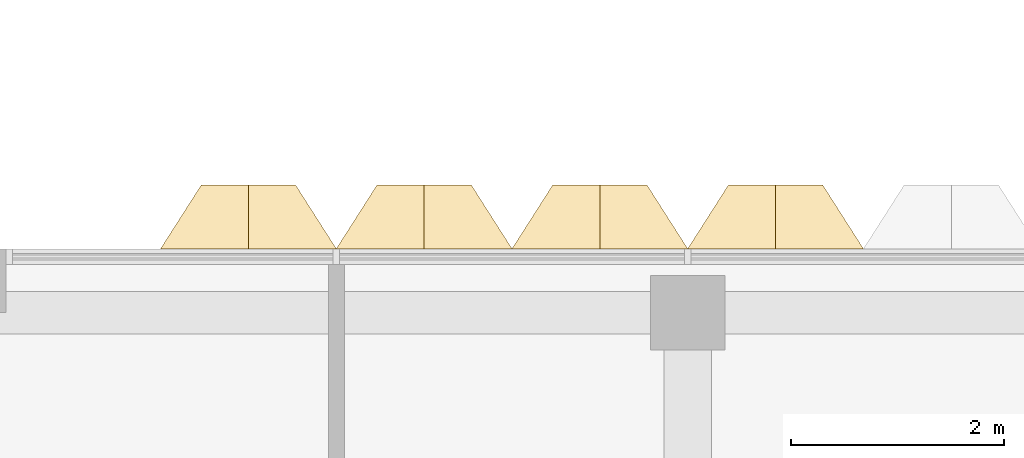
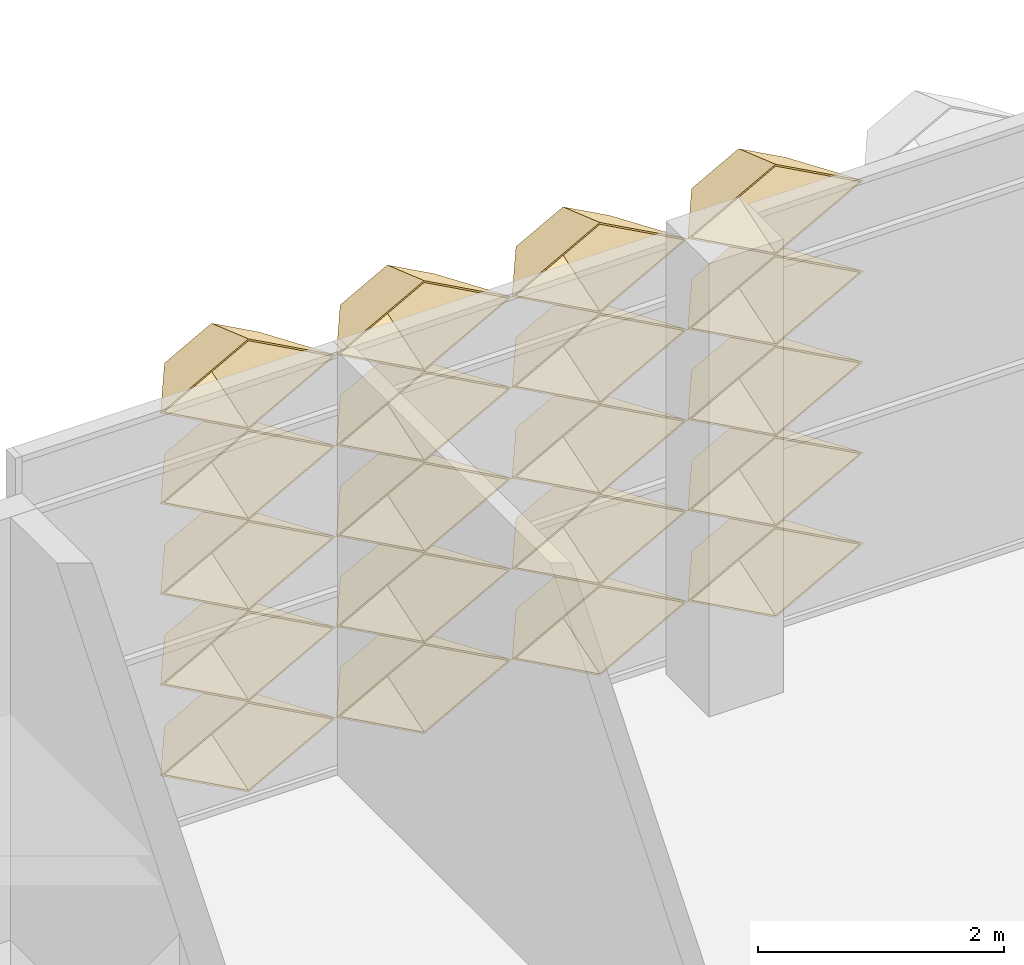
# One storey, part 50 of 85: 20 coverings.
"""IFC4 building model written with IfcOpenShell, lengths in metres."""

from ifc_helpers import new_model, entity, si_unit, direction, frame, origin, place, context, subcontext, project, spatial, material, layer, layer_set, type_object, element, save


model = new_model("IFC4")

# Units and contexts
model_context = context("Model", 3, precision=1e-05, world=origin(), true_north=direction((0.0, 1.0)))
body_context = subcontext(model_context, "Body", "Model", "MODEL_VIEW")
ifc_project = project(units=[si_unit("LENGTHUNIT", "METRE"), si_unit("AREAUNIT", "SQUARE_METRE"), si_unit("VOLUMEUNIT", "CUBIC_METRE"), si_unit("PLANEANGLEUNIT", "RADIAN"), si_unit("MASSUNIT", "GRAM", prefix="KILO")], contexts=[model_context])

# Site, building, storey
site_placement = place(None, origin())
site = spatial("IfcSite", under=ifc_project, at=site_placement, CompositionType="ELEMENT")
building_placement = place(site_placement, origin())
building = spatial("IfcBuilding", under=site, at=building_placement, Name="Lantern Court Research Institute", CompositionType="ELEMENT")
storey_placement = place(building_placement, frame((0.0, 0.0, 18.89990234375)))
storey = spatial("IfcBuildingStorey", under=building, at=storey_placement, Name="L04", CompositionType="ELEMENT", Elevation=18.89990234375)

# Coverings
ifc_material = material(Name="Anodised aluminium", Category="aluminium")
ifc_layer = layer(ifc_material, 0.01611328125)
ifc_layer_set = layer_set([ifc_layer], Name="Anodised aluminium")
covering_type = type_object("IfcCoveringType", Name="Fin cassette 1650 x 900 x 600 aluminium", PredefinedType="CLADDING", material=ifc_layer_set)
covering_1_placement = place(storey_placement, frame((9.074951171875, 23.699951171875, 0.4501953125), z_axis=(0.0, 1.0, 0.0), x_axis=(-1.0, 0.0, 0.0)))
cartesian_point_1 = entity("IfcCartesianPoint", [0.824951171875, 0.0])
cartesian_point_2 = entity("IfcCartesianPoint", [0.79150390625, 0.0])
cartesian_point_3 = entity("IfcCartesianPoint", [0.44189453125, 0.0])
cartesian_point_4 = entity("IfcCartesianPoint", [0.43359375, 0.0])
element("IfcCovering", 1, at=covering_1_placement, inside=storey, type_object=covering_type, Name="Fin cassette V4N-L04 1.6", PredefinedType="CLADDING", context=body_context, shape_type="SweptSolid", body=[
    entity("IfcExtrudedAreaSolidTapered", entity("IfcArbitraryProfileDefWithVoids", "AREA", None, entity("IfcPolyline", [cartesian_point_1, entity("IfcCartesianPoint", [0.0, 0.449951171875]), entity("IfcCartesianPoint", [-0.824951171875, 0.0]), entity("IfcCartesianPoint", [0.0, -0.449951171875]), cartesian_point_1]), [entity("IfcPolyline", [cartesian_point_2, entity("IfcCartesianPoint", [0.0, 0.431884765625]), entity("IfcCartesianPoint", [-0.79150390625, 0.0]), entity("IfcCartesianPoint", [0.0, -0.431884765625]), cartesian_point_2])]), entity("IfcAxis2Placement3D", entity("IfcCartesianPoint", [0.0, 0.0, 0.0])), entity("IfcDirection", [0.0, 0.0, 1.0]), 0.60009765625, entity("IfcArbitraryProfileDefWithVoids", "AREA", None, entity("IfcPolyline", [cartesian_point_3, entity("IfcCartesianPoint", [0.0, 0.240966796875]), entity("IfcCartesianPoint", [-0.44189453125, 0.0]), entity("IfcCartesianPoint", [0.0, -0.240966796875]), cartesian_point_3]), [entity("IfcPolyline", [cartesian_point_4, entity("IfcCartesianPoint", [0.0, 0.236572265625]), entity("IfcCartesianPoint", [-0.43359375, 0.0]), entity("IfcCartesianPoint", [0.0, -0.236572265625]), cartesian_point_4])])),
])
covering_2_placement = place(storey_placement, frame((10.72509765625, 23.699951171875, 0.4501953125), z_axis=(0.0, 1.0, 0.0), x_axis=(-1.0, 0.0, 0.0)))
cartesian_point_5 = entity("IfcCartesianPoint", [0.824951171875, 0.0])
cartesian_point_6 = entity("IfcCartesianPoint", [0.79150390625, 0.0])
cartesian_point_7 = entity("IfcCartesianPoint", [0.44189453125, 0.0])
cartesian_point_8 = entity("IfcCartesianPoint", [0.43359375, 0.0])
element("IfcCovering", 2, at=covering_2_placement, inside=storey, type_object=covering_type, Name="Fin cassette V4N-L04 1.7", PredefinedType="CLADDING", context=body_context, shape_type="SweptSolid", body=[
    entity("IfcExtrudedAreaSolidTapered", entity("IfcArbitraryProfileDefWithVoids", "AREA", None, entity("IfcPolyline", [cartesian_point_5, entity("IfcCartesianPoint", [0.0, 0.449951171875]), entity("IfcCartesianPoint", [-0.824951171875, 0.0]), entity("IfcCartesianPoint", [0.0, -0.449951171875]), cartesian_point_5]), [entity("IfcPolyline", [cartesian_point_6, entity("IfcCartesianPoint", [0.0, 0.431884765625]), entity("IfcCartesianPoint", [-0.79150390625, 0.0]), entity("IfcCartesianPoint", [0.0, -0.431884765625]), cartesian_point_6])]), entity("IfcAxis2Placement3D", entity("IfcCartesianPoint", [0.0, 0.0, 0.0])), entity("IfcDirection", [0.0, 0.0, 1.0]), 0.60009765625, entity("IfcArbitraryProfileDefWithVoids", "AREA", None, entity("IfcPolyline", [cartesian_point_7, entity("IfcCartesianPoint", [0.0, 0.240966796875]), entity("IfcCartesianPoint", [-0.44189453125, 0.0]), entity("IfcCartesianPoint", [0.0, -0.240966796875]), cartesian_point_7]), [entity("IfcPolyline", [cartesian_point_8, entity("IfcCartesianPoint", [0.0, 0.236572265625]), entity("IfcCartesianPoint", [-0.43359375, 0.0]), entity("IfcCartesianPoint", [0.0, -0.236572265625]), cartesian_point_8])])),
])
covering_3_placement = place(storey_placement, frame((12.375, 23.699951171875, 0.4501953125), z_axis=(0.0, 1.0, 0.0), x_axis=(-1.0, 0.0, 0.0)))
cartesian_point_9 = entity("IfcCartesianPoint", [0.824951171875, 0.0])
cartesian_point_10 = entity("IfcCartesianPoint", [0.79150390625, 0.0])
cartesian_point_11 = entity("IfcCartesianPoint", [0.44189453125, 0.0])
cartesian_point_12 = entity("IfcCartesianPoint", [0.43359375, 0.0])
element("IfcCovering", 3, at=covering_3_placement, inside=storey, type_object=covering_type, Name="Fin cassette V4N-L04 1.8", PredefinedType="CLADDING", context=body_context, shape_type="SweptSolid", body=[
    entity("IfcExtrudedAreaSolidTapered", entity("IfcArbitraryProfileDefWithVoids", "AREA", None, entity("IfcPolyline", [cartesian_point_9, entity("IfcCartesianPoint", [0.0, 0.449951171875]), entity("IfcCartesianPoint", [-0.824951171875, 0.0]), entity("IfcCartesianPoint", [0.0, -0.449951171875]), cartesian_point_9]), [entity("IfcPolyline", [cartesian_point_10, entity("IfcCartesianPoint", [0.0, 0.431884765625]), entity("IfcCartesianPoint", [-0.79150390625, 0.0]), entity("IfcCartesianPoint", [0.0, -0.431884765625]), cartesian_point_10])]), entity("IfcAxis2Placement3D", entity("IfcCartesianPoint", [0.0, 0.0, 0.0])), entity("IfcDirection", [0.0, 0.0, 1.0]), 0.60009765625, entity("IfcArbitraryProfileDefWithVoids", "AREA", None, entity("IfcPolyline", [cartesian_point_11, entity("IfcCartesianPoint", [0.0, 0.240966796875]), entity("IfcCartesianPoint", [-0.44189453125, 0.0]), entity("IfcCartesianPoint", [0.0, -0.240966796875]), cartesian_point_11]), [entity("IfcPolyline", [cartesian_point_12, entity("IfcCartesianPoint", [0.0, 0.236572265625]), entity("IfcCartesianPoint", [-0.43359375, 0.0]), entity("IfcCartesianPoint", [0.0, -0.236572265625]), cartesian_point_12])])),
])
covering_4_placement = place(storey_placement, frame((14.02490234375, 23.699951171875, 0.4501953125), z_axis=(0.0, 1.0, 0.0), x_axis=(-1.0, 0.0, 0.0)))
cartesian_point_13 = entity("IfcCartesianPoint", [0.824951171875, 0.0])
cartesian_point_14 = entity("IfcCartesianPoint", [0.79150390625, 0.0])
cartesian_point_15 = entity("IfcCartesianPoint", [0.44189453125, 0.0])
cartesian_point_16 = entity("IfcCartesianPoint", [0.43359375, 0.0])
element("IfcCovering", 4, at=covering_4_placement, inside=storey, type_object=covering_type, Name="Fin cassette V4N-L04 1.9", PredefinedType="CLADDING", context=body_context, shape_type="SweptSolid", body=[
    entity("IfcExtrudedAreaSolidTapered", entity("IfcArbitraryProfileDefWithVoids", "AREA", None, entity("IfcPolyline", [cartesian_point_13, entity("IfcCartesianPoint", [0.0, 0.449951171875]), entity("IfcCartesianPoint", [-0.824951171875, 0.0]), entity("IfcCartesianPoint", [0.0, -0.449951171875]), cartesian_point_13]), [entity("IfcPolyline", [cartesian_point_14, entity("IfcCartesianPoint", [0.0, 0.431884765625]), entity("IfcCartesianPoint", [-0.79150390625, 0.0]), entity("IfcCartesianPoint", [0.0, -0.431884765625]), cartesian_point_14])]), entity("IfcAxis2Placement3D", entity("IfcCartesianPoint", [0.0, 0.0, 0.0])), entity("IfcDirection", [0.0, 0.0, 1.0]), 0.60009765625, entity("IfcArbitraryProfileDefWithVoids", "AREA", None, entity("IfcPolyline", [cartesian_point_15, entity("IfcCartesianPoint", [0.0, 0.240966796875]), entity("IfcCartesianPoint", [-0.44189453125, 0.0]), entity("IfcCartesianPoint", [0.0, -0.240966796875]), cartesian_point_15]), [entity("IfcPolyline", [cartesian_point_16, entity("IfcCartesianPoint", [0.0, 0.236572265625]), entity("IfcCartesianPoint", [-0.43359375, 0.0]), entity("IfcCartesianPoint", [0.0, -0.236572265625]), cartesian_point_16])])),
])
covering_5_placement = place(storey_placement, frame((9.074951171875, 23.699951171875, 1.35009765625), z_axis=(0.0, 1.0, 0.0), x_axis=(-1.0, 0.0, 0.0)))
cartesian_point_17 = entity("IfcCartesianPoint", [0.824951171875, 0.0])
cartesian_point_18 = entity("IfcCartesianPoint", [0.79150390625, 0.0])
cartesian_point_19 = entity("IfcCartesianPoint", [0.44189453125, 0.0])
cartesian_point_20 = entity("IfcCartesianPoint", [0.43359375, 0.0])
element("IfcCovering", 5, at=covering_5_placement, inside=storey, type_object=covering_type, Name="Fin cassette V4N-L04 2.6", PredefinedType="CLADDING", context=body_context, shape_type="SweptSolid", body=[
    entity("IfcExtrudedAreaSolidTapered", entity("IfcArbitraryProfileDefWithVoids", "AREA", None, entity("IfcPolyline", [cartesian_point_17, entity("IfcCartesianPoint", [0.0, 0.449951171875]), entity("IfcCartesianPoint", [-0.824951171875, 0.0]), entity("IfcCartesianPoint", [0.0, -0.449951171875]), cartesian_point_17]), [entity("IfcPolyline", [cartesian_point_18, entity("IfcCartesianPoint", [0.0, 0.431884765625]), entity("IfcCartesianPoint", [-0.79150390625, 0.0]), entity("IfcCartesianPoint", [0.0, -0.431884765625]), cartesian_point_18])]), entity("IfcAxis2Placement3D", entity("IfcCartesianPoint", [0.0, 0.0, 0.0])), entity("IfcDirection", [0.0, 0.0, 1.0]), 0.60009765625, entity("IfcArbitraryProfileDefWithVoids", "AREA", None, entity("IfcPolyline", [cartesian_point_19, entity("IfcCartesianPoint", [0.0, 0.240966796875]), entity("IfcCartesianPoint", [-0.44189453125, 0.0]), entity("IfcCartesianPoint", [0.0, -0.240966796875]), cartesian_point_19]), [entity("IfcPolyline", [cartesian_point_20, entity("IfcCartesianPoint", [0.0, 0.236572265625]), entity("IfcCartesianPoint", [-0.43359375, 0.0]), entity("IfcCartesianPoint", [0.0, -0.236572265625]), cartesian_point_20])])),
])
covering_6_placement = place(storey_placement, frame((10.72509765625, 23.699951171875, 1.35009765625), z_axis=(0.0, 1.0, 0.0), x_axis=(-1.0, 0.0, 0.0)))
cartesian_point_21 = entity("IfcCartesianPoint", [0.824951171875, 0.0])
cartesian_point_22 = entity("IfcCartesianPoint", [0.79150390625, 0.0])
cartesian_point_23 = entity("IfcCartesianPoint", [0.44189453125, 0.0])
cartesian_point_24 = entity("IfcCartesianPoint", [0.43359375, 0.0])
element("IfcCovering", 6, at=covering_6_placement, inside=storey, type_object=covering_type, Name="Fin cassette V4N-L04 2.7", PredefinedType="CLADDING", context=body_context, shape_type="SweptSolid", body=[
    entity("IfcExtrudedAreaSolidTapered", entity("IfcArbitraryProfileDefWithVoids", "AREA", None, entity("IfcPolyline", [cartesian_point_21, entity("IfcCartesianPoint", [0.0, 0.449951171875]), entity("IfcCartesianPoint", [-0.824951171875, 0.0]), entity("IfcCartesianPoint", [0.0, -0.449951171875]), cartesian_point_21]), [entity("IfcPolyline", [cartesian_point_22, entity("IfcCartesianPoint", [0.0, 0.431884765625]), entity("IfcCartesianPoint", [-0.79150390625, 0.0]), entity("IfcCartesianPoint", [0.0, -0.431884765625]), cartesian_point_22])]), entity("IfcAxis2Placement3D", entity("IfcCartesianPoint", [0.0, 0.0, 0.0])), entity("IfcDirection", [0.0, 0.0, 1.0]), 0.60009765625, entity("IfcArbitraryProfileDefWithVoids", "AREA", None, entity("IfcPolyline", [cartesian_point_23, entity("IfcCartesianPoint", [0.0, 0.240966796875]), entity("IfcCartesianPoint", [-0.44189453125, 0.0]), entity("IfcCartesianPoint", [0.0, -0.240966796875]), cartesian_point_23]), [entity("IfcPolyline", [cartesian_point_24, entity("IfcCartesianPoint", [0.0, 0.236572265625]), entity("IfcCartesianPoint", [-0.43359375, 0.0]), entity("IfcCartesianPoint", [0.0, -0.236572265625]), cartesian_point_24])])),
])
covering_7_placement = place(storey_placement, frame((12.375, 23.699951171875, 1.35009765625), z_axis=(0.0, 1.0, 0.0), x_axis=(-1.0, 0.0, 0.0)))
cartesian_point_25 = entity("IfcCartesianPoint", [0.824951171875, 0.0])
cartesian_point_26 = entity("IfcCartesianPoint", [0.79150390625, 0.0])
cartesian_point_27 = entity("IfcCartesianPoint", [0.44189453125, 0.0])
cartesian_point_28 = entity("IfcCartesianPoint", [0.43359375, 0.0])
element("IfcCovering", 7, at=covering_7_placement, inside=storey, type_object=covering_type, Name="Fin cassette V4N-L04 2.8", PredefinedType="CLADDING", context=body_context, shape_type="SweptSolid", body=[
    entity("IfcExtrudedAreaSolidTapered", entity("IfcArbitraryProfileDefWithVoids", "AREA", None, entity("IfcPolyline", [cartesian_point_25, entity("IfcCartesianPoint", [0.0, 0.449951171875]), entity("IfcCartesianPoint", [-0.824951171875, 0.0]), entity("IfcCartesianPoint", [0.0, -0.449951171875]), cartesian_point_25]), [entity("IfcPolyline", [cartesian_point_26, entity("IfcCartesianPoint", [0.0, 0.431884765625]), entity("IfcCartesianPoint", [-0.79150390625, 0.0]), entity("IfcCartesianPoint", [0.0, -0.431884765625]), cartesian_point_26])]), entity("IfcAxis2Placement3D", entity("IfcCartesianPoint", [0.0, 0.0, 0.0])), entity("IfcDirection", [0.0, 0.0, 1.0]), 0.60009765625, entity("IfcArbitraryProfileDefWithVoids", "AREA", None, entity("IfcPolyline", [cartesian_point_27, entity("IfcCartesianPoint", [0.0, 0.240966796875]), entity("IfcCartesianPoint", [-0.44189453125, 0.0]), entity("IfcCartesianPoint", [0.0, -0.240966796875]), cartesian_point_27]), [entity("IfcPolyline", [cartesian_point_28, entity("IfcCartesianPoint", [0.0, 0.236572265625]), entity("IfcCartesianPoint", [-0.43359375, 0.0]), entity("IfcCartesianPoint", [0.0, -0.236572265625]), cartesian_point_28])])),
])
covering_8_placement = place(storey_placement, frame((14.02490234375, 23.699951171875, 1.35009765625), z_axis=(0.0, 1.0, 0.0), x_axis=(-1.0, 0.0, 0.0)))
cartesian_point_29 = entity("IfcCartesianPoint", [0.824951171875, 0.0])
cartesian_point_30 = entity("IfcCartesianPoint", [0.79150390625, 0.0])
cartesian_point_31 = entity("IfcCartesianPoint", [0.44189453125, 0.0])
cartesian_point_32 = entity("IfcCartesianPoint", [0.43359375, 0.0])
element("IfcCovering", 8, at=covering_8_placement, inside=storey, type_object=covering_type, Name="Fin cassette V4N-L04 2.9", PredefinedType="CLADDING", context=body_context, shape_type="SweptSolid", body=[
    entity("IfcExtrudedAreaSolidTapered", entity("IfcArbitraryProfileDefWithVoids", "AREA", None, entity("IfcPolyline", [cartesian_point_29, entity("IfcCartesianPoint", [0.0, 0.449951171875]), entity("IfcCartesianPoint", [-0.824951171875, 0.0]), entity("IfcCartesianPoint", [0.0, -0.449951171875]), cartesian_point_29]), [entity("IfcPolyline", [cartesian_point_30, entity("IfcCartesianPoint", [0.0, 0.431884765625]), entity("IfcCartesianPoint", [-0.79150390625, 0.0]), entity("IfcCartesianPoint", [0.0, -0.431884765625]), cartesian_point_30])]), entity("IfcAxis2Placement3D", entity("IfcCartesianPoint", [0.0, 0.0, 0.0])), entity("IfcDirection", [0.0, 0.0, 1.0]), 0.60009765625, entity("IfcArbitraryProfileDefWithVoids", "AREA", None, entity("IfcPolyline", [cartesian_point_31, entity("IfcCartesianPoint", [0.0, 0.240966796875]), entity("IfcCartesianPoint", [-0.44189453125, 0.0]), entity("IfcCartesianPoint", [0.0, -0.240966796875]), cartesian_point_31]), [entity("IfcPolyline", [cartesian_point_32, entity("IfcCartesianPoint", [0.0, 0.236572265625]), entity("IfcCartesianPoint", [-0.43359375, 0.0]), entity("IfcCartesianPoint", [0.0, -0.236572265625]), cartesian_point_32])])),
])
covering_9_placement = place(storey_placement, frame((9.074951171875, 23.699951171875, 2.25), z_axis=(0.0, 1.0, 0.0), x_axis=(-1.0, 0.0, 0.0)))
cartesian_point_33 = entity("IfcCartesianPoint", [0.824951171875, 0.0])
cartesian_point_34 = entity("IfcCartesianPoint", [0.79150390625, 0.0])
cartesian_point_35 = entity("IfcCartesianPoint", [0.44189453125, 0.0])
cartesian_point_36 = entity("IfcCartesianPoint", [0.43359375, 0.0])
element("IfcCovering", 9, at=covering_9_placement, inside=storey, type_object=covering_type, Name="Fin cassette V4N-L04 3.6", PredefinedType="CLADDING", context=body_context, shape_type="SweptSolid", body=[
    entity("IfcExtrudedAreaSolidTapered", entity("IfcArbitraryProfileDefWithVoids", "AREA", None, entity("IfcPolyline", [cartesian_point_33, entity("IfcCartesianPoint", [0.0, 0.449951171875]), entity("IfcCartesianPoint", [-0.824951171875, 0.0]), entity("IfcCartesianPoint", [0.0, -0.449951171875]), cartesian_point_33]), [entity("IfcPolyline", [cartesian_point_34, entity("IfcCartesianPoint", [0.0, 0.431884765625]), entity("IfcCartesianPoint", [-0.79150390625, 0.0]), entity("IfcCartesianPoint", [0.0, -0.431884765625]), cartesian_point_34])]), entity("IfcAxis2Placement3D", entity("IfcCartesianPoint", [0.0, 0.0, 0.0])), entity("IfcDirection", [0.0, 0.0, 1.0]), 0.60009765625, entity("IfcArbitraryProfileDefWithVoids", "AREA", None, entity("IfcPolyline", [cartesian_point_35, entity("IfcCartesianPoint", [0.0, 0.240966796875]), entity("IfcCartesianPoint", [-0.44189453125, 0.0]), entity("IfcCartesianPoint", [0.0, -0.240966796875]), cartesian_point_35]), [entity("IfcPolyline", [cartesian_point_36, entity("IfcCartesianPoint", [0.0, 0.236572265625]), entity("IfcCartesianPoint", [-0.43359375, 0.0]), entity("IfcCartesianPoint", [0.0, -0.236572265625]), cartesian_point_36])])),
])
covering_10_placement = place(storey_placement, frame((10.72509765625, 23.699951171875, 2.25), z_axis=(0.0, 1.0, 0.0), x_axis=(-1.0, 0.0, 0.0)))
cartesian_point_37 = entity("IfcCartesianPoint", [0.824951171875, 0.0])
cartesian_point_38 = entity("IfcCartesianPoint", [0.79150390625, 0.0])
cartesian_point_39 = entity("IfcCartesianPoint", [0.44189453125, 0.0])
cartesian_point_40 = entity("IfcCartesianPoint", [0.43359375, 0.0])
element("IfcCovering", 10, at=covering_10_placement, inside=storey, type_object=covering_type, Name="Fin cassette V4N-L04 3.7", PredefinedType="CLADDING", context=body_context, shape_type="SweptSolid", body=[
    entity("IfcExtrudedAreaSolidTapered", entity("IfcArbitraryProfileDefWithVoids", "AREA", None, entity("IfcPolyline", [cartesian_point_37, entity("IfcCartesianPoint", [0.0, 0.449951171875]), entity("IfcCartesianPoint", [-0.824951171875, 0.0]), entity("IfcCartesianPoint", [0.0, -0.449951171875]), cartesian_point_37]), [entity("IfcPolyline", [cartesian_point_38, entity("IfcCartesianPoint", [0.0, 0.431884765625]), entity("IfcCartesianPoint", [-0.79150390625, 0.0]), entity("IfcCartesianPoint", [0.0, -0.431884765625]), cartesian_point_38])]), entity("IfcAxis2Placement3D", entity("IfcCartesianPoint", [0.0, 0.0, 0.0])), entity("IfcDirection", [0.0, 0.0, 1.0]), 0.60009765625, entity("IfcArbitraryProfileDefWithVoids", "AREA", None, entity("IfcPolyline", [cartesian_point_39, entity("IfcCartesianPoint", [0.0, 0.240966796875]), entity("IfcCartesianPoint", [-0.44189453125, 0.0]), entity("IfcCartesianPoint", [0.0, -0.240966796875]), cartesian_point_39]), [entity("IfcPolyline", [cartesian_point_40, entity("IfcCartesianPoint", [0.0, 0.236572265625]), entity("IfcCartesianPoint", [-0.43359375, 0.0]), entity("IfcCartesianPoint", [0.0, -0.236572265625]), cartesian_point_40])])),
])
covering_11_placement = place(storey_placement, frame((12.375, 23.699951171875, 2.25), z_axis=(0.0, 1.0, 0.0), x_axis=(-1.0, 0.0, 0.0)))
cartesian_point_41 = entity("IfcCartesianPoint", [0.824951171875, 0.0])
cartesian_point_42 = entity("IfcCartesianPoint", [0.79150390625, 0.0])
cartesian_point_43 = entity("IfcCartesianPoint", [0.44189453125, 0.0])
cartesian_point_44 = entity("IfcCartesianPoint", [0.43359375, 0.0])
element("IfcCovering", 11, at=covering_11_placement, inside=storey, type_object=covering_type, Name="Fin cassette V4N-L04 3.8", PredefinedType="CLADDING", context=body_context, shape_type="SweptSolid", body=[
    entity("IfcExtrudedAreaSolidTapered", entity("IfcArbitraryProfileDefWithVoids", "AREA", None, entity("IfcPolyline", [cartesian_point_41, entity("IfcCartesianPoint", [0.0, 0.449951171875]), entity("IfcCartesianPoint", [-0.824951171875, 0.0]), entity("IfcCartesianPoint", [0.0, -0.449951171875]), cartesian_point_41]), [entity("IfcPolyline", [cartesian_point_42, entity("IfcCartesianPoint", [0.0, 0.431884765625]), entity("IfcCartesianPoint", [-0.79150390625, 0.0]), entity("IfcCartesianPoint", [0.0, -0.431884765625]), cartesian_point_42])]), entity("IfcAxis2Placement3D", entity("IfcCartesianPoint", [0.0, 0.0, 0.0])), entity("IfcDirection", [0.0, 0.0, 1.0]), 0.60009765625, entity("IfcArbitraryProfileDefWithVoids", "AREA", None, entity("IfcPolyline", [cartesian_point_43, entity("IfcCartesianPoint", [0.0, 0.240966796875]), entity("IfcCartesianPoint", [-0.44189453125, 0.0]), entity("IfcCartesianPoint", [0.0, -0.240966796875]), cartesian_point_43]), [entity("IfcPolyline", [cartesian_point_44, entity("IfcCartesianPoint", [0.0, 0.236572265625]), entity("IfcCartesianPoint", [-0.43359375, 0.0]), entity("IfcCartesianPoint", [0.0, -0.236572265625]), cartesian_point_44])])),
])
covering_12_placement = place(storey_placement, frame((14.02490234375, 23.699951171875, 2.25), z_axis=(0.0, 1.0, 0.0), x_axis=(-1.0, 0.0, 0.0)))
cartesian_point_45 = entity("IfcCartesianPoint", [0.824951171875, 0.0])
cartesian_point_46 = entity("IfcCartesianPoint", [0.79150390625, 0.0])
cartesian_point_47 = entity("IfcCartesianPoint", [0.44189453125, 0.0])
cartesian_point_48 = entity("IfcCartesianPoint", [0.43359375, 0.0])
element("IfcCovering", 12, at=covering_12_placement, inside=storey, type_object=covering_type, Name="Fin cassette V4N-L04 3.9", PredefinedType="CLADDING", context=body_context, shape_type="SweptSolid", body=[
    entity("IfcExtrudedAreaSolidTapered", entity("IfcArbitraryProfileDefWithVoids", "AREA", None, entity("IfcPolyline", [cartesian_point_45, entity("IfcCartesianPoint", [0.0, 0.449951171875]), entity("IfcCartesianPoint", [-0.824951171875, 0.0]), entity("IfcCartesianPoint", [0.0, -0.449951171875]), cartesian_point_45]), [entity("IfcPolyline", [cartesian_point_46, entity("IfcCartesianPoint", [0.0, 0.431884765625]), entity("IfcCartesianPoint", [-0.79150390625, 0.0]), entity("IfcCartesianPoint", [0.0, -0.431884765625]), cartesian_point_46])]), entity("IfcAxis2Placement3D", entity("IfcCartesianPoint", [0.0, 0.0, 0.0])), entity("IfcDirection", [0.0, 0.0, 1.0]), 0.60009765625, entity("IfcArbitraryProfileDefWithVoids", "AREA", None, entity("IfcPolyline", [cartesian_point_47, entity("IfcCartesianPoint", [0.0, 0.240966796875]), entity("IfcCartesianPoint", [-0.44189453125, 0.0]), entity("IfcCartesianPoint", [0.0, -0.240966796875]), cartesian_point_47]), [entity("IfcPolyline", [cartesian_point_48, entity("IfcCartesianPoint", [0.0, 0.236572265625]), entity("IfcCartesianPoint", [-0.43359375, 0.0]), entity("IfcCartesianPoint", [0.0, -0.236572265625]), cartesian_point_48])])),
])
covering_13_placement = place(storey_placement, frame((9.074951171875, 23.699951171875, 3.150146484375), z_axis=(0.0, 1.0, 0.0), x_axis=(-1.0, 0.0, 0.0)))
cartesian_point_49 = entity("IfcCartesianPoint", [0.824951171875, 0.0])
cartesian_point_50 = entity("IfcCartesianPoint", [0.79150390625, 0.0])
cartesian_point_51 = entity("IfcCartesianPoint", [0.44189453125, 0.0])
cartesian_point_52 = entity("IfcCartesianPoint", [0.43359375, 0.0])
element("IfcCovering", 13, at=covering_13_placement, inside=storey, type_object=covering_type, Name="Fin cassette V4N-L04 4.6", PredefinedType="CLADDING", context=body_context, shape_type="SweptSolid", body=[
    entity("IfcExtrudedAreaSolidTapered", entity("IfcArbitraryProfileDefWithVoids", "AREA", None, entity("IfcPolyline", [cartesian_point_49, entity("IfcCartesianPoint", [0.0, 0.449951171875]), entity("IfcCartesianPoint", [-0.824951171875, 0.0]), entity("IfcCartesianPoint", [0.0, -0.449951171875]), cartesian_point_49]), [entity("IfcPolyline", [cartesian_point_50, entity("IfcCartesianPoint", [0.0, 0.431884765625]), entity("IfcCartesianPoint", [-0.79150390625, 0.0]), entity("IfcCartesianPoint", [0.0, -0.431884765625]), cartesian_point_50])]), entity("IfcAxis2Placement3D", entity("IfcCartesianPoint", [0.0, 0.0, 0.0])), entity("IfcDirection", [0.0, 0.0, 1.0]), 0.60009765625, entity("IfcArbitraryProfileDefWithVoids", "AREA", None, entity("IfcPolyline", [cartesian_point_51, entity("IfcCartesianPoint", [0.0, 0.240966796875]), entity("IfcCartesianPoint", [-0.44189453125, 0.0]), entity("IfcCartesianPoint", [0.0, -0.240966796875]), cartesian_point_51]), [entity("IfcPolyline", [cartesian_point_52, entity("IfcCartesianPoint", [0.0, 0.236572265625]), entity("IfcCartesianPoint", [-0.43359375, 0.0]), entity("IfcCartesianPoint", [0.0, -0.236572265625]), cartesian_point_52])])),
])
covering_14_placement = place(storey_placement, frame((10.72509765625, 23.699951171875, 3.150146484375), z_axis=(0.0, 1.0, 0.0), x_axis=(-1.0, 0.0, 0.0)))
cartesian_point_53 = entity("IfcCartesianPoint", [0.824951171875, 0.0])
cartesian_point_54 = entity("IfcCartesianPoint", [0.79150390625, 0.0])
cartesian_point_55 = entity("IfcCartesianPoint", [0.44189453125, 0.0])
cartesian_point_56 = entity("IfcCartesianPoint", [0.43359375, 0.0])
element("IfcCovering", 14, at=covering_14_placement, inside=storey, type_object=covering_type, Name="Fin cassette V4N-L04 4.7", PredefinedType="CLADDING", context=body_context, shape_type="SweptSolid", body=[
    entity("IfcExtrudedAreaSolidTapered", entity("IfcArbitraryProfileDefWithVoids", "AREA", None, entity("IfcPolyline", [cartesian_point_53, entity("IfcCartesianPoint", [0.0, 0.449951171875]), entity("IfcCartesianPoint", [-0.824951171875, 0.0]), entity("IfcCartesianPoint", [0.0, -0.449951171875]), cartesian_point_53]), [entity("IfcPolyline", [cartesian_point_54, entity("IfcCartesianPoint", [0.0, 0.431884765625]), entity("IfcCartesianPoint", [-0.79150390625, 0.0]), entity("IfcCartesianPoint", [0.0, -0.431884765625]), cartesian_point_54])]), entity("IfcAxis2Placement3D", entity("IfcCartesianPoint", [0.0, 0.0, 0.0])), entity("IfcDirection", [0.0, 0.0, 1.0]), 0.60009765625, entity("IfcArbitraryProfileDefWithVoids", "AREA", None, entity("IfcPolyline", [cartesian_point_55, entity("IfcCartesianPoint", [0.0, 0.240966796875]), entity("IfcCartesianPoint", [-0.44189453125, 0.0]), entity("IfcCartesianPoint", [0.0, -0.240966796875]), cartesian_point_55]), [entity("IfcPolyline", [cartesian_point_56, entity("IfcCartesianPoint", [0.0, 0.236572265625]), entity("IfcCartesianPoint", [-0.43359375, 0.0]), entity("IfcCartesianPoint", [0.0, -0.236572265625]), cartesian_point_56])])),
])
covering_15_placement = place(storey_placement, frame((12.375, 23.699951171875, 3.150146484375), z_axis=(0.0, 1.0, 0.0), x_axis=(-1.0, 0.0, 0.0)))
cartesian_point_57 = entity("IfcCartesianPoint", [0.824951171875, 0.0])
cartesian_point_58 = entity("IfcCartesianPoint", [0.79150390625, 0.0])
cartesian_point_59 = entity("IfcCartesianPoint", [0.44189453125, 0.0])
cartesian_point_60 = entity("IfcCartesianPoint", [0.43359375, 0.0])
element("IfcCovering", 15, at=covering_15_placement, inside=storey, type_object=covering_type, Name="Fin cassette V4N-L04 4.8", PredefinedType="CLADDING", context=body_context, shape_type="SweptSolid", body=[
    entity("IfcExtrudedAreaSolidTapered", entity("IfcArbitraryProfileDefWithVoids", "AREA", None, entity("IfcPolyline", [cartesian_point_57, entity("IfcCartesianPoint", [0.0, 0.449951171875]), entity("IfcCartesianPoint", [-0.824951171875, 0.0]), entity("IfcCartesianPoint", [0.0, -0.449951171875]), cartesian_point_57]), [entity("IfcPolyline", [cartesian_point_58, entity("IfcCartesianPoint", [0.0, 0.431884765625]), entity("IfcCartesianPoint", [-0.79150390625, 0.0]), entity("IfcCartesianPoint", [0.0, -0.431884765625]), cartesian_point_58])]), entity("IfcAxis2Placement3D", entity("IfcCartesianPoint", [0.0, 0.0, 0.0])), entity("IfcDirection", [0.0, 0.0, 1.0]), 0.60009765625, entity("IfcArbitraryProfileDefWithVoids", "AREA", None, entity("IfcPolyline", [cartesian_point_59, entity("IfcCartesianPoint", [0.0, 0.240966796875]), entity("IfcCartesianPoint", [-0.44189453125, 0.0]), entity("IfcCartesianPoint", [0.0, -0.240966796875]), cartesian_point_59]), [entity("IfcPolyline", [cartesian_point_60, entity("IfcCartesianPoint", [0.0, 0.236572265625]), entity("IfcCartesianPoint", [-0.43359375, 0.0]), entity("IfcCartesianPoint", [0.0, -0.236572265625]), cartesian_point_60])])),
])
covering_16_placement = place(storey_placement, frame((14.02490234375, 23.699951171875, 3.150146484375), z_axis=(0.0, 1.0, 0.0), x_axis=(-1.0, 0.0, 0.0)))
cartesian_point_61 = entity("IfcCartesianPoint", [0.824951171875, 0.0])
cartesian_point_62 = entity("IfcCartesianPoint", [0.79150390625, 0.0])
cartesian_point_63 = entity("IfcCartesianPoint", [0.44189453125, 0.0])
cartesian_point_64 = entity("IfcCartesianPoint", [0.43359375, 0.0])
element("IfcCovering", 16, at=covering_16_placement, inside=storey, type_object=covering_type, Name="Fin cassette V4N-L04 4.9", PredefinedType="CLADDING", context=body_context, shape_type="SweptSolid", body=[
    entity("IfcExtrudedAreaSolidTapered", entity("IfcArbitraryProfileDefWithVoids", "AREA", None, entity("IfcPolyline", [cartesian_point_61, entity("IfcCartesianPoint", [0.0, 0.449951171875]), entity("IfcCartesianPoint", [-0.824951171875, 0.0]), entity("IfcCartesianPoint", [0.0, -0.449951171875]), cartesian_point_61]), [entity("IfcPolyline", [cartesian_point_62, entity("IfcCartesianPoint", [0.0, 0.431884765625]), entity("IfcCartesianPoint", [-0.79150390625, 0.0]), entity("IfcCartesianPoint", [0.0, -0.431884765625]), cartesian_point_62])]), entity("IfcAxis2Placement3D", entity("IfcCartesianPoint", [0.0, 0.0, 0.0])), entity("IfcDirection", [0.0, 0.0, 1.0]), 0.60009765625, entity("IfcArbitraryProfileDefWithVoids", "AREA", None, entity("IfcPolyline", [cartesian_point_63, entity("IfcCartesianPoint", [0.0, 0.240966796875]), entity("IfcCartesianPoint", [-0.44189453125, 0.0]), entity("IfcCartesianPoint", [0.0, -0.240966796875]), cartesian_point_63]), [entity("IfcPolyline", [cartesian_point_64, entity("IfcCartesianPoint", [0.0, 0.236572265625]), entity("IfcCartesianPoint", [-0.43359375, 0.0]), entity("IfcCartesianPoint", [0.0, -0.236572265625]), cartesian_point_64])])),
])
covering_17_placement = place(storey_placement, frame((9.074951171875, 23.699951171875, 4.050048828125), z_axis=(0.0, 1.0, 0.0), x_axis=(-1.0, 0.0, 0.0)))
cartesian_point_65 = entity("IfcCartesianPoint", [0.824951171875, 0.0])
cartesian_point_66 = entity("IfcCartesianPoint", [0.79150390625, 0.0])
cartesian_point_67 = entity("IfcCartesianPoint", [0.44189453125, 0.0])
cartesian_point_68 = entity("IfcCartesianPoint", [0.43359375, 0.0])
element("IfcCovering", 17, at=covering_17_placement, inside=storey, type_object=covering_type, Name="Fin cassette V4N-L04 5.6", PredefinedType="CLADDING", context=body_context, shape_type="SweptSolid", body=[
    entity("IfcExtrudedAreaSolidTapered", entity("IfcArbitraryProfileDefWithVoids", "AREA", None, entity("IfcPolyline", [cartesian_point_65, entity("IfcCartesianPoint", [0.0, 0.449951171875]), entity("IfcCartesianPoint", [-0.824951171875, 0.0]), entity("IfcCartesianPoint", [0.0, -0.449951171875]), cartesian_point_65]), [entity("IfcPolyline", [cartesian_point_66, entity("IfcCartesianPoint", [0.0, 0.431884765625]), entity("IfcCartesianPoint", [-0.79150390625, 0.0]), entity("IfcCartesianPoint", [0.0, -0.431884765625]), cartesian_point_66])]), entity("IfcAxis2Placement3D", entity("IfcCartesianPoint", [0.0, 0.0, 0.0])), entity("IfcDirection", [0.0, 0.0, 1.0]), 0.60009765625, entity("IfcArbitraryProfileDefWithVoids", "AREA", None, entity("IfcPolyline", [cartesian_point_67, entity("IfcCartesianPoint", [0.0, 0.240966796875]), entity("IfcCartesianPoint", [-0.44189453125, 0.0]), entity("IfcCartesianPoint", [0.0, -0.240966796875]), cartesian_point_67]), [entity("IfcPolyline", [cartesian_point_68, entity("IfcCartesianPoint", [0.0, 0.236572265625]), entity("IfcCartesianPoint", [-0.43359375, 0.0]), entity("IfcCartesianPoint", [0.0, -0.236572265625]), cartesian_point_68])])),
])
covering_18_placement = place(storey_placement, frame((10.72509765625, 23.699951171875, 4.050048828125), z_axis=(0.0, 1.0, 0.0), x_axis=(-1.0, 0.0, 0.0)))
cartesian_point_69 = entity("IfcCartesianPoint", [0.824951171875, 0.0])
cartesian_point_70 = entity("IfcCartesianPoint", [0.79150390625, 0.0])
cartesian_point_71 = entity("IfcCartesianPoint", [0.44189453125, 0.0])
cartesian_point_72 = entity("IfcCartesianPoint", [0.43359375, 0.0])
element("IfcCovering", 18, at=covering_18_placement, inside=storey, type_object=covering_type, Name="Fin cassette V4N-L04 5.7", PredefinedType="CLADDING", context=body_context, shape_type="SweptSolid", body=[
    entity("IfcExtrudedAreaSolidTapered", entity("IfcArbitraryProfileDefWithVoids", "AREA", None, entity("IfcPolyline", [cartesian_point_69, entity("IfcCartesianPoint", [0.0, 0.449951171875]), entity("IfcCartesianPoint", [-0.824951171875, 0.0]), entity("IfcCartesianPoint", [0.0, -0.449951171875]), cartesian_point_69]), [entity("IfcPolyline", [cartesian_point_70, entity("IfcCartesianPoint", [0.0, 0.431884765625]), entity("IfcCartesianPoint", [-0.79150390625, 0.0]), entity("IfcCartesianPoint", [0.0, -0.431884765625]), cartesian_point_70])]), entity("IfcAxis2Placement3D", entity("IfcCartesianPoint", [0.0, 0.0, 0.0])), entity("IfcDirection", [0.0, 0.0, 1.0]), 0.60009765625, entity("IfcArbitraryProfileDefWithVoids", "AREA", None, entity("IfcPolyline", [cartesian_point_71, entity("IfcCartesianPoint", [0.0, 0.240966796875]), entity("IfcCartesianPoint", [-0.44189453125, 0.0]), entity("IfcCartesianPoint", [0.0, -0.240966796875]), cartesian_point_71]), [entity("IfcPolyline", [cartesian_point_72, entity("IfcCartesianPoint", [0.0, 0.236572265625]), entity("IfcCartesianPoint", [-0.43359375, 0.0]), entity("IfcCartesianPoint", [0.0, -0.236572265625]), cartesian_point_72])])),
])
covering_19_placement = place(storey_placement, frame((12.375, 23.699951171875, 4.050048828125), z_axis=(0.0, 1.0, 0.0), x_axis=(-1.0, 0.0, 0.0)))
cartesian_point_73 = entity("IfcCartesianPoint", [0.824951171875, 0.0])
cartesian_point_74 = entity("IfcCartesianPoint", [0.79150390625, 0.0])
cartesian_point_75 = entity("IfcCartesianPoint", [0.44189453125, 0.0])
cartesian_point_76 = entity("IfcCartesianPoint", [0.43359375, 0.0])
element("IfcCovering", 19, at=covering_19_placement, inside=storey, type_object=covering_type, Name="Fin cassette V4N-L04 5.8", PredefinedType="CLADDING", context=body_context, shape_type="SweptSolid", body=[
    entity("IfcExtrudedAreaSolidTapered", entity("IfcArbitraryProfileDefWithVoids", "AREA", None, entity("IfcPolyline", [cartesian_point_73, entity("IfcCartesianPoint", [0.0, 0.449951171875]), entity("IfcCartesianPoint", [-0.824951171875, 0.0]), entity("IfcCartesianPoint", [0.0, -0.449951171875]), cartesian_point_73]), [entity("IfcPolyline", [cartesian_point_74, entity("IfcCartesianPoint", [0.0, 0.431884765625]), entity("IfcCartesianPoint", [-0.79150390625, 0.0]), entity("IfcCartesianPoint", [0.0, -0.431884765625]), cartesian_point_74])]), entity("IfcAxis2Placement3D", entity("IfcCartesianPoint", [0.0, 0.0, 0.0])), entity("IfcDirection", [0.0, 0.0, 1.0]), 0.60009765625, entity("IfcArbitraryProfileDefWithVoids", "AREA", None, entity("IfcPolyline", [cartesian_point_75, entity("IfcCartesianPoint", [0.0, 0.240966796875]), entity("IfcCartesianPoint", [-0.44189453125, 0.0]), entity("IfcCartesianPoint", [0.0, -0.240966796875]), cartesian_point_75]), [entity("IfcPolyline", [cartesian_point_76, entity("IfcCartesianPoint", [0.0, 0.236572265625]), entity("IfcCartesianPoint", [-0.43359375, 0.0]), entity("IfcCartesianPoint", [0.0, -0.236572265625]), cartesian_point_76])])),
])
covering_20_placement = place(storey_placement, frame((14.02490234375, 23.699951171875, 4.050048828125), z_axis=(0.0, 1.0, 0.0), x_axis=(-1.0, 0.0, 0.0)))
cartesian_point_77 = entity("IfcCartesianPoint", [0.824951171875, 0.0])
cartesian_point_78 = entity("IfcCartesianPoint", [0.79150390625, 0.0])
cartesian_point_79 = entity("IfcCartesianPoint", [0.44189453125, 0.0])
cartesian_point_80 = entity("IfcCartesianPoint", [0.43359375, 0.0])
element("IfcCovering", 20, at=covering_20_placement, inside=storey, type_object=covering_type, Name="Fin cassette V4N-L04 5.9", PredefinedType="CLADDING", context=body_context, shape_type="SweptSolid", body=[
    entity("IfcExtrudedAreaSolidTapered", entity("IfcArbitraryProfileDefWithVoids", "AREA", None, entity("IfcPolyline", [cartesian_point_77, entity("IfcCartesianPoint", [0.0, 0.449951171875]), entity("IfcCartesianPoint", [-0.824951171875, 0.0]), entity("IfcCartesianPoint", [0.0, -0.449951171875]), cartesian_point_77]), [entity("IfcPolyline", [cartesian_point_78, entity("IfcCartesianPoint", [0.0, 0.431884765625]), entity("IfcCartesianPoint", [-0.79150390625, 0.0]), entity("IfcCartesianPoint", [0.0, -0.431884765625]), cartesian_point_78])]), entity("IfcAxis2Placement3D", entity("IfcCartesianPoint", [0.0, 0.0, 0.0])), entity("IfcDirection", [0.0, 0.0, 1.0]), 0.60009765625, entity("IfcArbitraryProfileDefWithVoids", "AREA", None, entity("IfcPolyline", [cartesian_point_79, entity("IfcCartesianPoint", [0.0, 0.240966796875]), entity("IfcCartesianPoint", [-0.44189453125, 0.0]), entity("IfcCartesianPoint", [0.0, -0.240966796875]), cartesian_point_79]), [entity("IfcPolyline", [cartesian_point_80, entity("IfcCartesianPoint", [0.0, 0.236572265625]), entity("IfcCartesianPoint", [-0.43359375, 0.0]), entity("IfcCartesianPoint", [0.0, -0.236572265625]), cartesian_point_80])])),
])

save(model, "model.ifc")
